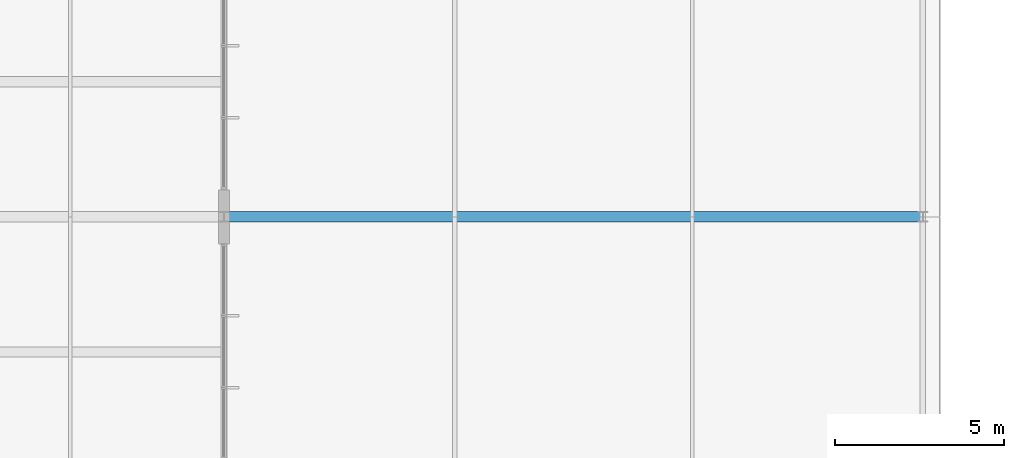
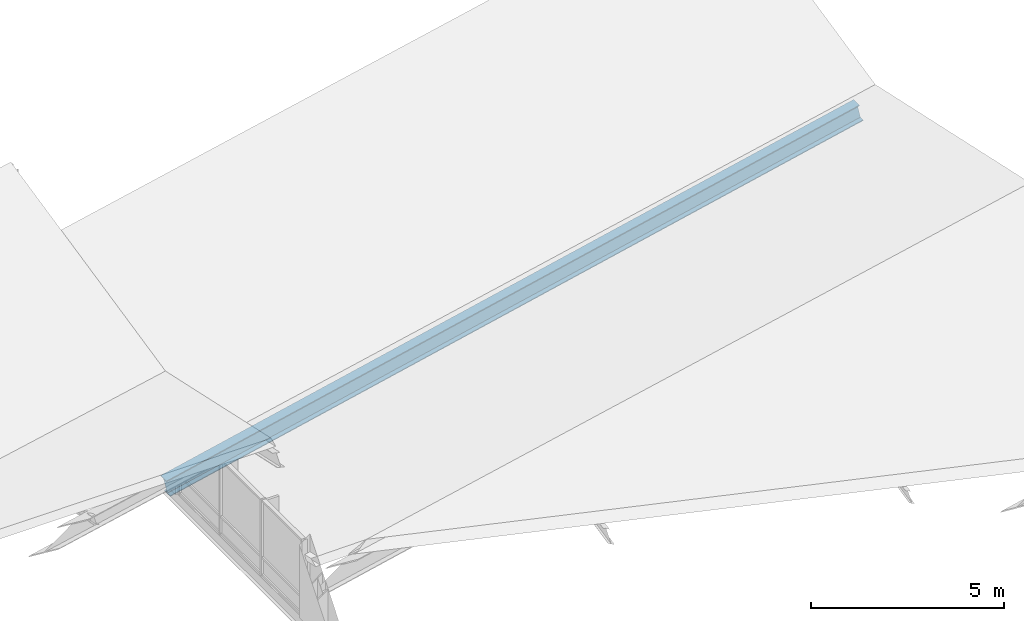
# One storey, part 49 of 109: 1 beam.
"""IFC4 building model written with IfcOpenShell, lengths in metres."""

from ifc_helpers import new_model, si_unit, direction, frame, origin, origin_2d, place, context, subcontext, project, spatial, i_section, extrude, material, material_profile, profile_set, type_object, element, save


model = new_model("IFC4")

# Units and contexts
model_context = context("Model", 3, precision=1e-05, world=origin(), true_north=direction((0.0, 1.0)))
body_context = subcontext(model_context, "Body", "Model", "MODEL_VIEW")
ifc_project = project(units=[si_unit("LENGTHUNIT", "METRE"), si_unit("AREAUNIT", "SQUARE_METRE"), si_unit("VOLUMEUNIT", "CUBIC_METRE"), si_unit("PLANEANGLEUNIT", "RADIAN"), si_unit("MASSUNIT", "GRAM", prefix="KILO")], contexts=[model_context])

# Site, building, storey
site_placement = place(None, origin())
site = spatial("IfcSite", under=ifc_project, at=site_placement, CompositionType="ELEMENT")
building_placement = place(site_placement, origin())
building = spatial("IfcBuilding", under=site, at=building_placement, Name="Zavelmont Quarter", CompositionType="ELEMENT")
storey_placement = place(building_placement, frame((0.0, 0.0, 8.0)))
storey = spatial("IfcBuildingStorey", under=building, at=storey_placement, Name="L02", CompositionType="ELEMENT", Elevation=8.0)

# Beam
ifc_material = material(Name="Steel S355", Category="steel")
ifc_material_profile = material_profile(ifc_material, i_section(OverallWidth=0.300048828125, OverallDepth=0.5400390625, WebThickness=0.012451171875, FlangeThickness=0.02392578125, at=origin_2d()), Name="HEA 550")
ifc_profile_set = profile_set([ifc_material_profile], Name="Steel S355")
beam_type = type_object("IfcBeamType", Name="BM11", PredefinedType="BEAM", material=ifc_profile_set)
beam_placement = place(storey_placement, frame((147.300048828125, 70.0, -0.6298828125), z_axis=(0.97593670434, 0.0, 0.21805400506), x_axis=(0.0, 1.0, 0.0)))
element("IfcBeam", 1, at=beam_placement, inside=storey, type_object=beam_type, Name="L02 beam BM11 22/L to 25/L", PredefinedType="BEAM", context=body_context, shape_type="SweptSolid", body=[
    extrude(i_section(OverallWidth=0.300048828125, OverallDepth=0.5400390625, WebThickness=0.012451171875, FlangeThickness=0.02392578125, at=origin_2d()), origin(), (0.0, 0.0, 1.0), 21.21044921875),
])

save(model, "model.ifc")
